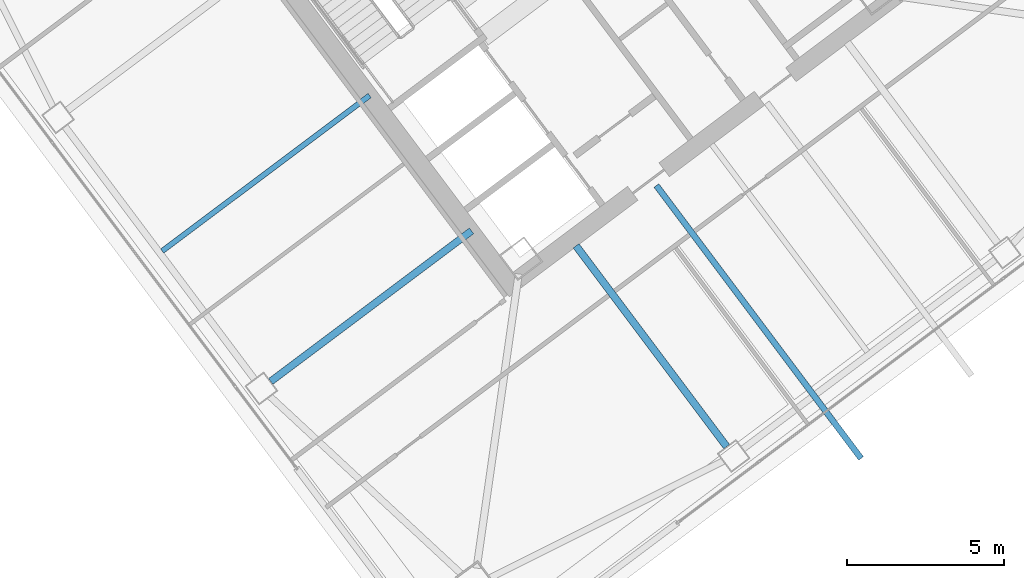
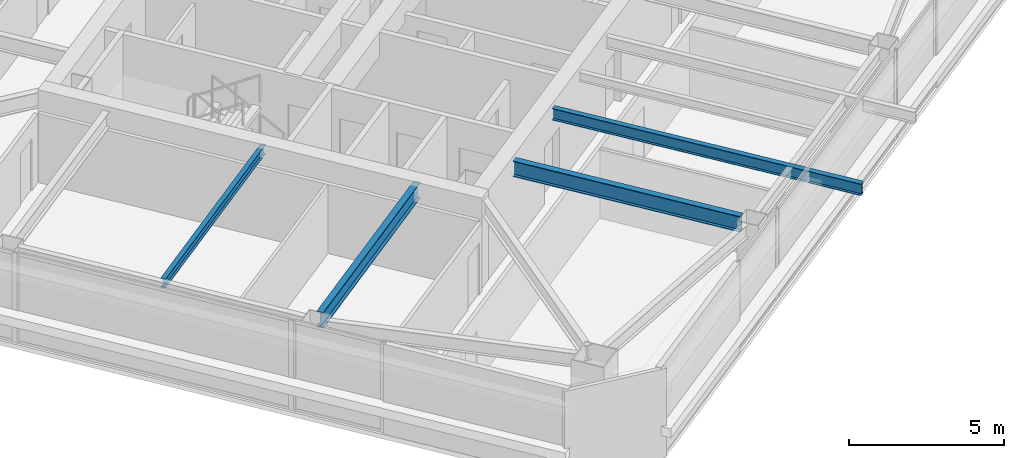
# One storey, part 20 of 42: 4 beams.
"""IFC4 building model written with IfcOpenShell, lengths in metres."""

from ifc_helpers import new_model, si_unit, direction, frame, origin, origin_2d, place, context, subcontext, project, spatial, i_section, extrude, material, material_profile, profile_set, type_object, element, save


model = new_model("IFC4")

# Units and contexts
model_context = context("Model", 3, precision=1e-05, world=origin(), true_north=direction((0.0, 1.0)))
body_context = subcontext(model_context, "Body", "Model", "MODEL_VIEW")
ifc_project = project(units=[si_unit("LENGTHUNIT", "METRE"), si_unit("AREAUNIT", "SQUARE_METRE"), si_unit("VOLUMEUNIT", "CUBIC_METRE"), si_unit("PLANEANGLEUNIT", "RADIAN"), si_unit("MASSUNIT", "GRAM", prefix="KILO")], contexts=[model_context])

# Site, building, storey
site_placement = place(None, origin())
site = spatial("IfcSite", under=ifc_project, at=site_placement, CompositionType="ELEMENT")
building_placement = place(site_placement, origin())
building = spatial("IfcBuilding", under=site, at=building_placement, Name="Tashvorn Skyway Center", CompositionType="ELEMENT")
storey_placement = place(building_placement, frame((0.0, 0.0, 164.10009765625)))
storey = spatial("IfcBuildingStorey", under=building, at=storey_placement, Name="L44", CompositionType="ELEMENT", Elevation=164.10009765625)

# Beams
ifc_material = material(Name="Steel ASTM A992 Grade 50", Category="steel")
ifc_material_profile_1 = material_profile(ifc_material, i_section(OverallWidth=0.22998046875, OverallDepth=0.616943359375, WebThickness=0.01318359375, FlangeThickness=0.022216796875, at=origin_2d()), Name="W24X94")
ifc_profile_set_1 = profile_set([ifc_material_profile_1], Name="Steel ASTM A992 Grade 50")
beam_type_1 = type_object("IfcBeamType", Name="BM-BEAM-W24X94", PredefinedType="BEAM", material=ifc_profile_set_1)
beam_1_placement = place(storey_placement, frame((119.14794921875, 16.135986328125, 3.0615234375), z_axis=(-0.60000976564, 0.799992675677, 0.0), x_axis=(-0.799992675677, -0.60000976564, 0.0)))
element("IfcBeam", 1, at=beam_1_placement, inside=storey, type_object=beam_type_1, Name="Tower 2 L44 Primary Floor Girder FC-S1", PredefinedType="BEAM", context=body_context, shape_type="SweptSolid", body=[
    extrude(i_section(OverallWidth=0.22998046875, OverallDepth=0.616943359375, WebThickness=0.01318359375, FlangeThickness=0.022216796875, at=origin_2d()), origin(), (0.0, 0.0, 1.0), 8.0),
])
beam_2_placement = place(storey_placement, frame((104.615966796875, 18.2119140625, 3.0615234375), z_axis=(0.800003662027, 0.599995117266, 0.0), x_axis=(-0.599995117266, 0.800003662027, 0.0)))
element("IfcBeam", 2, at=beam_2_placement, inside=storey, type_object=beam_type_1, Name="Tower 2 L44 Primary Floor Girder FC-W2", PredefinedType="BEAM", context=body_context, shape_type="SweptSolid", body=[
    extrude(i_section(OverallWidth=0.22998046875, OverallDepth=0.616943359375, WebThickness=0.01318359375, FlangeThickness=0.022216796875, at=origin_2d()), origin(), (0.0, 0.0, 1.0), 8.000244140625),
])
ifc_material_profile_2 = material_profile(ifc_material, i_section(OverallWidth=0.1708984375, OverallDepth=0.35498046875, WebThickness=0.007080078125, FlangeThickness=0.01171875, at=origin_2d()), Name="W14X34")
ifc_profile_set_2 = profile_set([ifc_material_profile_2], Name="Steel ASTM A992 Grade 50")
beam_type_2 = type_object("IfcBeamType", Name="BM-JOIST-W14X34", PredefinedType="JOIST", material=ifc_profile_set_2)
beam_3_placement = place(storey_placement, frame((107.76806640625, 27.325927734375, 3.1923828125), z_axis=(-0.800003545708, -0.59999527236, 0.0), x_axis=(0.59999527236, -0.800003545708, 0.0)))
element("IfcBeam", 3, at=beam_3_placement, inside=storey, type_object=beam_type_2, Name="Tower 2 L44 Secondary Composite Joist JW", PredefinedType="JOIST", context=body_context, shape_type="SweptSolid", body=[
    extrude(i_section(OverallWidth=0.1708984375, OverallDepth=0.35498046875, WebThickness=0.007080078125, FlangeThickness=0.01171875, at=origin_2d()), origin(), (0.0, 0.0, 1.0), 8.2626953125),
])
ifc_material_profile_3 = material_profile(ifc_material, i_section(OverallWidth=0.19091796875, OverallDepth=0.4599609375, WebThickness=0.010009765625, FlangeThickness=0.01611328125, at=origin_2d()), Name="W18X55")
ifc_profile_set_3 = profile_set([ifc_material_profile_3], Name="Steel ASTM A992 Grade 50")
beam_type_3 = type_object("IfcBeamType", Name="BM-JOIST-W18X55", PredefinedType="JOIST", material=ifc_profile_set_3)
beam_4_placement = place(storey_placement, frame((116.907958984375, 24.4560546875, 3.139892578125), z_axis=(0.599996406394, -0.800002695192, 0.0), x_axis=(0.800002695192, 0.599996406394, 0.0)))
element("IfcBeam", 4, at=beam_4_placement, inside=storey, type_object=beam_type_3, Name="Tower 2 L45 Terrace Cantilever Outlooker 1", PredefinedType="JOIST", context=body_context, shape_type="SweptSolid", body=[
    extrude(i_section(OverallWidth=0.19091796875, OverallDepth=0.4599609375, WebThickness=0.010009765625, FlangeThickness=0.01611328125, at=origin_2d()), origin(), (0.0, 0.0, 1.0), 10.8701171875),
])

save(model, "model.ifc")
